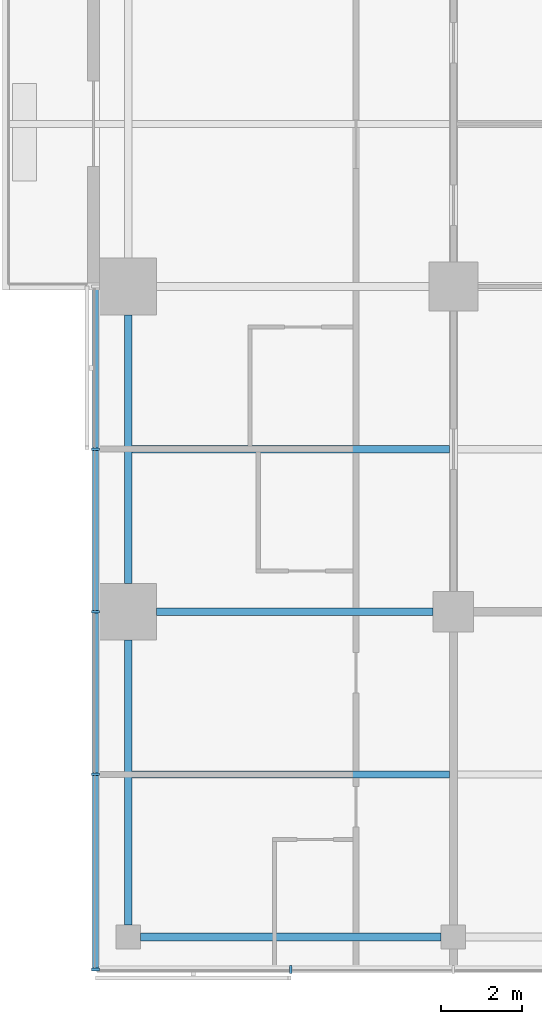
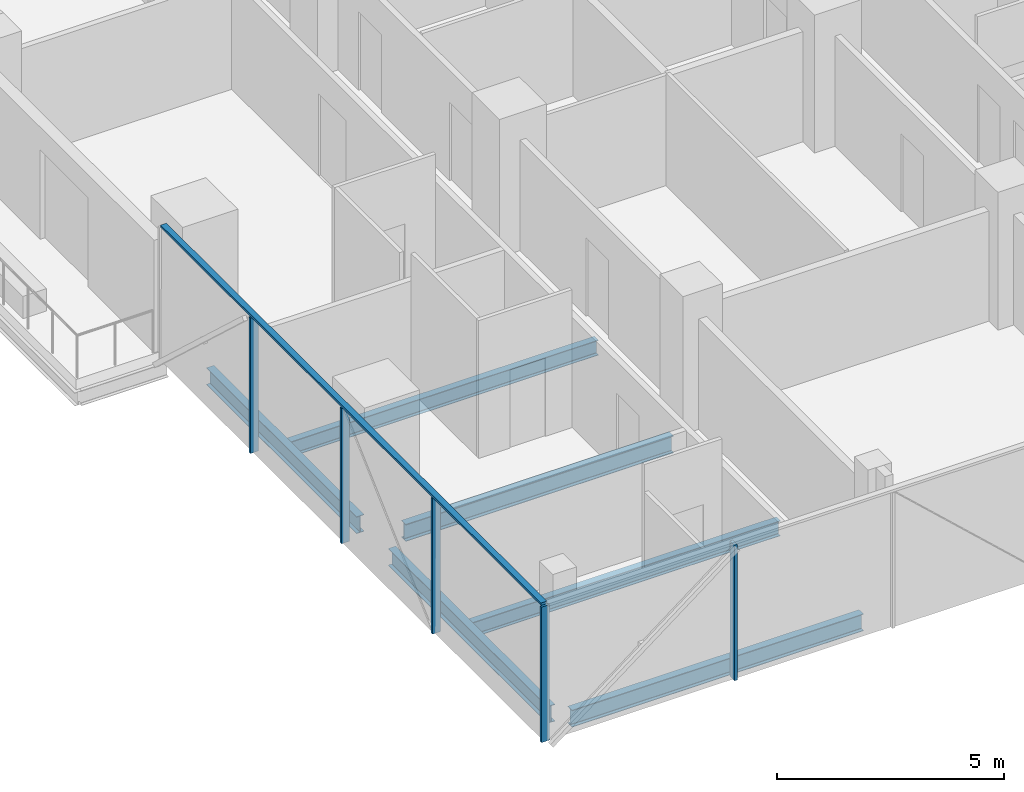
# One storey, part 2 of 27: 6 beams, 6 members, 2 elements without a shape of their own.
"""IFC4 building model written with IfcOpenShell, lengths in metres."""

from ifc_helpers import new_model, si_unit, direction, frame, origin, origin_2d, place, context, subcontext, project, spatial, rectangle, i_section, extrude, material, material_profile, profile_set, type_object, element, aggregate, save


model = new_model("IFC4")

# Units and contexts
model_context = context("Model", 3, precision=1e-05, world=origin(), true_north=direction((0.0, 1.0)))
body_context = subcontext(model_context, "Body", "Model", "MODEL_VIEW")
ifc_project = project(units=[si_unit("LENGTHUNIT", "METRE"), si_unit("AREAUNIT", "SQUARE_METRE"), si_unit("VOLUMEUNIT", "CUBIC_METRE"), si_unit("PLANEANGLEUNIT", "RADIAN"), si_unit("MASSUNIT", "GRAM", prefix="KILO")], contexts=[model_context])

# Site, building, storey
site_placement = place(None, origin())
site = spatial("IfcSite", under=ifc_project, at=site_placement, CompositionType="ELEMENT")
building_placement = place(site_placement, origin())
building = spatial("IfcBuilding", under=site, at=building_placement, Name="Crosswind Convention Tower", CompositionType="ELEMENT")
storey_placement = place(building_placement, frame((0.0, 0.0, 83.10009765625)))
storey = spatial("IfcBuildingStorey", under=building, at=storey_placement, Name="L15", CompositionType="ELEMENT", Elevation=83.10009765625)

# Beams
ifc_material_1 = material(Name="Steel S355", Category="steel")
ifc_material_profile_1 = material_profile(ifc_material_1, i_section(OverallWidth=0.1904296875, OverallDepth=0.457275390625, WebThickness=0.009033203125, FlangeThickness=0.014404296875, FilletRadius=0.01025390625, at=origin_2d()), Name="UB 457x191x75")
ifc_profile_set_1 = profile_set([ifc_material_profile_1], Name="Steel S355")
beam_type_1 = type_object("IfcBeamType", Name="Edge beam UB 457x191x75", PredefinedType="SPANDREL", material=ifc_profile_set_1)
beam_1_placement = place(storey_placement, frame((113.0, 64.300048828125, -0.5087890625), z_axis=(0.0, 1.0, 0.0), x_axis=(-1.0, 0.0, 0.0)))
element("IfcBeam", 1, at=beam_1_placement, inside=storey, type_object=beam_type_1, Name="B17 L15 edge beam 6", PredefinedType="SPANDREL", context=body_context, shape_type="SweptSolid", body=[
    extrude(i_section(OverallWidth=0.1904296875, OverallDepth=0.457275390625, WebThickness=0.009033203125, FlangeThickness=0.014404296875, FilletRadius=0.01025390625, at=origin_2d()), origin(), (0.0, 0.0, 1.0), 7.0),
])
beam_2_placement = place(storey_placement, frame((113.0, 72.699951171875, -0.5087890625), z_axis=(0.0, 1.0, 0.0), x_axis=(-1.0, 0.0, 0.0)))
element("IfcBeam", 2, at=beam_2_placement, inside=storey, type_object=beam_type_1, Name="B17 L15 edge beam 7", PredefinedType="SPANDREL", context=body_context, shape_type="SweptSolid", body=[
    extrude(i_section(OverallWidth=0.1904296875, OverallDepth=0.457275390625, WebThickness=0.009033203125, FlangeThickness=0.014404296875, FilletRadius=0.01025390625, at=origin_2d()), origin(), (0.0, 0.0, 1.0), 6.60009765625),
])
beam_3_placement = place(storey_placement, frame((113.300048828125, 64.0, -0.5087890625), z_axis=(1.0, 0.0, 0.0), x_axis=(0.0, 1.0, 0.0)))
element("IfcBeam", 3, at=beam_3_placement, inside=storey, type_object=beam_type_1, Name="B17 L15 edge beam 12", PredefinedType="SPANDREL", context=body_context, shape_type="SweptSolid", body=[
    extrude(i_section(OverallWidth=0.1904296875, OverallDepth=0.457275390625, WebThickness=0.009033203125, FlangeThickness=0.014404296875, FilletRadius=0.01025390625, at=origin_2d()), origin(), (0.0, 0.0, 1.0), 7.39990234375),
])
ifc_material_profile_2 = material_profile(ifc_material_1, i_section(OverallWidth=0.19140625, OverallDepth=0.460205078125, WebThickness=0.010009765625, FlangeThickness=0.01611328125, FilletRadius=0.01025390625, at=origin_2d()), Name="UB 457x191x82")
ifc_profile_set_2 = profile_set([ifc_material_profile_2], Name="Steel S355")
beam_type_2 = type_object("IfcBeamType", Name="Girder UB 457x191x82", PredefinedType="BEAM", material=ifc_profile_set_2)
beam_4_placement = place(storey_placement, frame((113.699951171875, 72.0, -0.51025390625), z_axis=(1.0, 0.0, 0.0), x_axis=(0.0, 1.0, 0.0)))
element("IfcBeam", 4, at=beam_4_placement, inside=storey, type_object=beam_type_2, Name="B3 L15 girder 1", PredefinedType="BEAM", context=body_context, shape_type="SweptSolid", body=[
    extrude(i_section(OverallWidth=0.19140625, OverallDepth=0.460205078125, WebThickness=0.010009765625, FlangeThickness=0.01611328125, FilletRadius=0.01025390625, at=origin_2d()), origin(), (0.0, 0.0, 1.0), 6.800048828125),
])

# Curtain wall, members
ifc_material_2 = material(Name="Aluminium unitised curtain wall", Category="aluminium")
curtain_wall_type = type_object("IfcCurtainWallType", Name="HOTEL UNITISED WALL 200", PredefinedType="USERDEFINED", material=ifc_material_2)
curtain_wall_1_placement = place(storey_placement, origin())
curtain_wall_1 = element("IfcCurtainWall", 5, at=curtain_wall_1_placement, inside=storey, type_object=curtain_wall_type, Name="CW2 L15 S-W 1", ObjectType="UNITISED", PredefinedType="USERDEFINED")
ifc_material_3 = material(Name="Aluminium mullion", Category="aluminium")
ifc_material_profile_3 = material_profile(ifc_material_3, rectangle(XDim=0.199951171875, YDim=0.06494140625, at=origin_2d()), Name="AL 200X65")
ifc_profile_set_3 = profile_set([ifc_material_profile_3], Name="Aluminium mullion")
member_type_1 = type_object("IfcMemberType", Name="MULLION 65X200", PredefinedType="MULLION", material=ifc_profile_set_3)
member_1_placement = place(storey_placement, frame((112.199951171875, 76.0, -0.280029296875), z_axis=(0.0, 0.0, 1.0), x_axis=(-1.0, 0.0, 0.0)))
member_1 = element("IfcMember", 6, at=member_1_placement, type_object=member_type_1, Name="CW2 mullion 2", PredefinedType="MULLION", context=body_context, shape_type="SweptSolid", body=[
    extrude(rectangle(XDim=0.199951171875, YDim=0.06494140625, at=origin_2d()), origin(), (0.0, 0.0, 1.0), 3.635009765625),
])
member_2_placement = place(storey_placement, frame((112.199951171875, 72.0, -0.280029296875), z_axis=(0.0, 0.0, 1.0), x_axis=(-1.0, 0.0, 0.0)))
member_2 = element("IfcMember", 7, at=member_2_placement, type_object=member_type_1, Name="CW2 mullion 3", PredefinedType="MULLION", context=body_context, shape_type="SweptSolid", body=[
    extrude(rectangle(XDim=0.199951171875, YDim=0.06494140625, at=origin_2d()), origin(), (0.0, 0.0, 1.0), 3.635009765625),
])
member_3_placement = place(storey_placement, frame((112.199951171875, 68.0, -0.280029296875), z_axis=(0.0, 0.0, 1.0), x_axis=(-1.0, 0.0, 0.0)))
member_3 = element("IfcMember", 8, at=member_3_placement, type_object=member_type_1, Name="CW2 mullion 4", PredefinedType="MULLION", context=body_context, shape_type="SweptSolid", body=[
    extrude(rectangle(XDim=0.199951171875, YDim=0.06494140625, at=origin_2d()), origin(), (0.0, 0.0, 1.0), 3.635009765625),
])
member_4_placement = place(storey_placement, frame((112.199951171875, 63.199951171875, -0.280029296875), z_axis=(0.0, 0.0, 1.0), x_axis=(-1.0, 0.0, 0.0)))
member_4 = element("IfcMember", 9, at=member_4_placement, type_object=member_type_1, Name="CW2 mullion 5", PredefinedType="MULLION", context=body_context, shape_type="SweptSolid", body=[
    extrude(rectangle(XDim=0.199951171875, YDim=0.06494140625, at=origin_2d()), origin(), (0.0, 0.0, 1.0), 3.635009765625),
])

# Curtain wall, member
curtain_wall_2_placement = place(storey_placement, origin())
curtain_wall_2 = element("IfcCurtainWall", 10, at=curtain_wall_2_placement, inside=storey, type_object=curtain_wall_type, Name="CW2 L15 S-TIP 1", ObjectType="UNITISED", PredefinedType="USERDEFINED")
member_5_placement = place(storey_placement, frame((117.0, 63.199951171875, -0.280029296875), z_axis=(0.0, 0.0, 1.0), x_axis=(0.0, -1.0, 0.0)))
member_5 = element("IfcMember", 11, at=member_5_placement, type_object=member_type_1, Name="CW2 mullion 2", PredefinedType="MULLION", context=body_context, shape_type="SweptSolid", body=[
    extrude(rectangle(XDim=0.199951171875, YDim=0.06494140625, at=origin_2d()), origin(), (0.0, 0.0, 1.0), 3.635009765625),
])
aggregate(curtain_wall_2, [member_5])

# Beams
ifc_material_profile_4 = material_profile(ifc_material_1, i_section(OverallWidth=0.177734375, OverallDepth=0.406494140625, WebThickness=0.0078125, FlangeThickness=0.0126953125, FilletRadius=0.01025390625, at=origin_2d()), Name="UB 406x178x60")
ifc_profile_set_4 = profile_set([ifc_material_profile_4], Name="Steel S355")
beam_type_3 = type_object("IfcBeamType", Name="Secondary beam UB 406x178x60", PredefinedType="JOIST", material=ifc_profile_set_4)
for number, where, z_axis, x_axis, name in (
    (12, (113.09521484375, 68.0, -0.4833984375), (1.0, 0.0, 0.0), (0.0, 1.0, 0.0), "B10 L15 secondary beam 7"),
    (13, (113.09521484375, 76.0, -0.4833984375), (1.0, 0.0, 0.0), (0.0, 1.0, 0.0), "B10 L15 secondary beam 8"),
):
    element("IfcBeam", number, at=place(storey_placement, frame(where, z_axis=z_axis, x_axis=x_axis)), inside=storey, type_object=beam_type_3, Name=name, PredefinedType="JOIST", context=body_context, shape_type="SweptSolid", body=[
        extrude(i_section(OverallWidth=0.177734375, OverallDepth=0.406494140625, WebThickness=0.0078125, FlangeThickness=0.0126953125, FilletRadius=0.01025390625, at=origin_2d()), origin(), (0.0, 0.0, 1.0), 7.80908203125),
    ])

# Member
ifc_material_4 = material(Name="Aluminium transom", Category="aluminium")
ifc_material_profile_5 = material_profile(ifc_material_4, rectangle(XDim=0.14990234375, YDim=0.06494140625, at=origin_2d()), Name="AL 150X65")
ifc_profile_set_5 = profile_set([ifc_material_profile_5], Name="Aluminium transom")
member_type_2 = type_object("IfcMemberType", Name="TRANSOM 65X150", PredefinedType="USERDEFINED", material=ifc_profile_set_5)
member_6_placement = place(storey_placement, frame((112.199951171875, 79.967529296875, 3.387451171875), z_axis=(0.0, -1.0, 0.0), x_axis=(1.0, 0.0, 0.0)))
member_6 = element("IfcMember", 14, at=member_6_placement, type_object=member_type_2, Name="CW2 transom", ObjectType="TRANSOM", PredefinedType="USERDEFINED", context=body_context, shape_type="SweptSolid", body=[
    extrude(rectangle(XDim=0.14990234375, YDim=0.06494140625, at=origin_2d()), origin(), (0.0, 0.0, 1.0), 16.735107421875),
])

aggregate(curtain_wall_1, [member_1, member_2, member_3, member_4, member_6])

save(model, "model.ifc")
